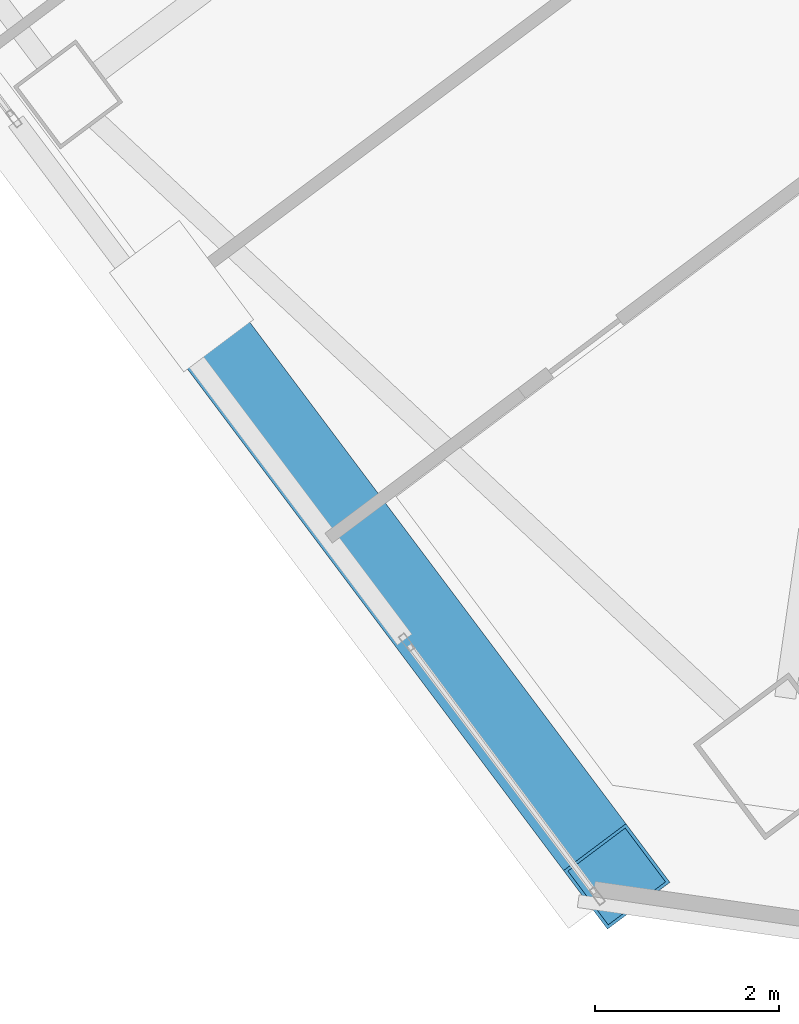
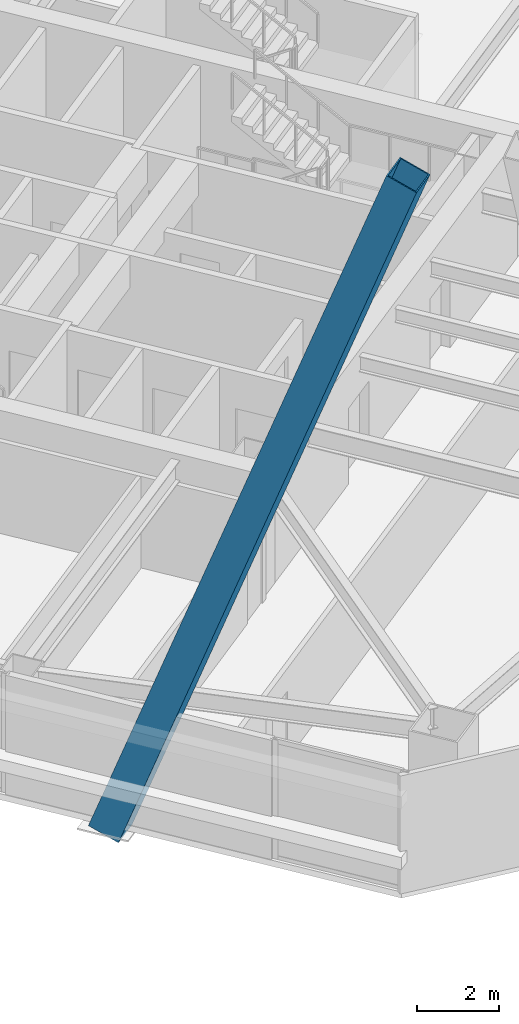
# One storey, part 25 of 54: 1 member.
"""IFC4 building model written with IfcOpenShell, lengths in metres."""

from ifc_helpers import new_model, si_unit, direction, frame, origin, origin_2d, place, context, subcontext, project, spatial, hollow_rectangle, extrude, material, material_profile, profile_set, type_object, element, save


model = new_model("IFC4")

# Units and contexts
model_context = context("Model", 3, precision=1e-05, world=origin(), true_north=direction((0.0, 1.0)))
body_context = subcontext(model_context, "Body", "Model", "MODEL_VIEW")
ifc_project = project(units=[si_unit("LENGTHUNIT", "METRE"), si_unit("AREAUNIT", "SQUARE_METRE"), si_unit("VOLUMEUNIT", "CUBIC_METRE"), si_unit("PLANEANGLEUNIT", "RADIAN"), si_unit("MASSUNIT", "GRAM", prefix="KILO")], contexts=[model_context])

# Site, building, storey
site_placement = place(None, origin())
site = spatial("IfcSite", under=ifc_project, at=site_placement, CompositionType="ELEMENT")
building_placement = place(site_placement, origin())
building = spatial("IfcBuilding", under=site, at=building_placement, Name="Tashvorn Skyway Center", CompositionType="ELEMENT")
storey_placement = place(building_placement, frame((0.0, 0.0, 135.699951171875)))
storey = spatial("IfcBuildingStorey", under=building, at=storey_placement, Name="L36", CompositionType="ELEMENT", Elevation=135.699951171875)

# Member
ifc_material = material(Name="Steel ASTM A572 Grade 50", Category="steel")
ifc_material_profile = material_profile(ifc_material, hollow_rectangle(XDim=0.85009765625, YDim=0.85009765625, WallThickness=0.034912109375, at=origin_2d()), Name="BOX850x850x35")
ifc_profile_set = profile_set([ifc_material_profile], Name="Steel ASTM A572 Grade 50")
member_type = type_object("IfcMemberType", Name="MEM-MB-850", PredefinedType="BRACE", material=ifc_profile_set)
member_placement = place(storey_placement, frame((104.35595703125, 14.89208984375, -0.449951171875), z_axis=(0.206767363973, -0.27569336859, 0.938744067204), x_axis=(0.800003708427, 0.599995055399, 0.0)))
element("IfcMember", 1, at=member_placement, inside=storey, type_object=member_type, Name="Tower 2 Zone 3 W Chevron Mega-Brace R2", PredefinedType="BRACE", context=body_context, shape_type="SweptSolid", body=[
    extrude(hollow_rectangle(XDim=0.85009765625, YDim=0.85009765625, WallThickness=0.034912109375, at=origin_2d()), origin(), (0.0, 0.0, 1.0), 22.92431640625),
])

save(model, "model.ifc")
